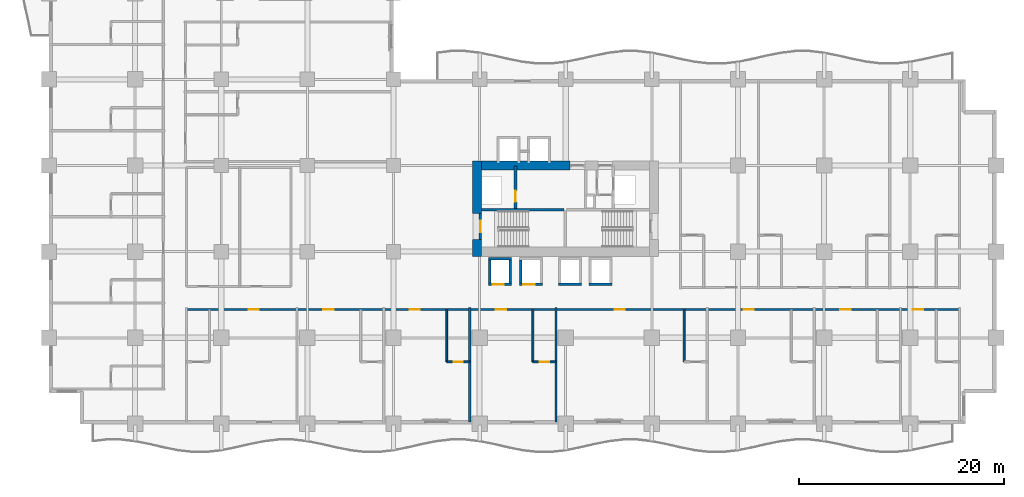
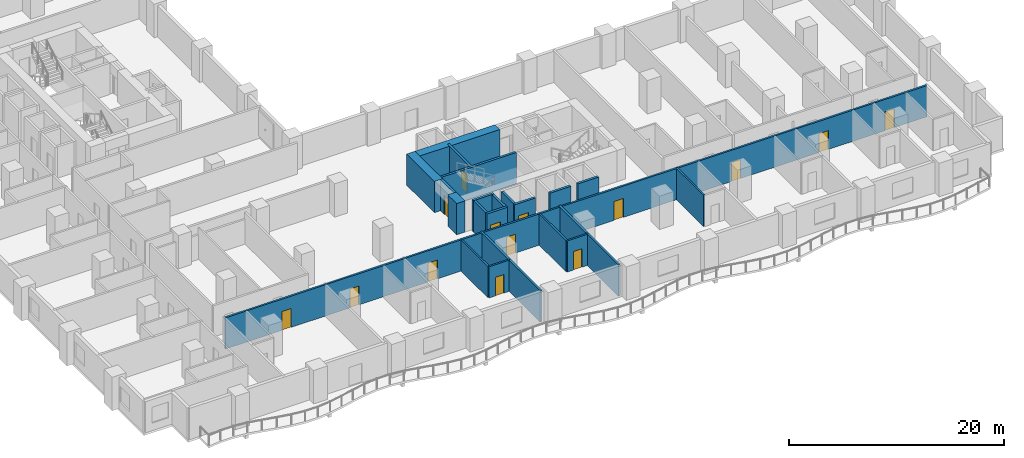
# One storey, part 6 of 20: 22 walls, 14 doors, 14 openings.
"""IFC4 building model written with IfcOpenShell, lengths in metres."""

from ifc_helpers import new_model, si_unit, direction, frame, frame_2d, origin, place, context, subcontext, project, spatial, rectangle, extrude, material, layer, layer_set, type_object, element, fill, save


model = new_model("IFC4")

# Units and contexts
model_context = context("Model", 3, precision=1e-05, world=origin(), true_north=direction((0.0, 1.0)))
body_context = subcontext(model_context, "Body", "Model", "MODEL_VIEW")
ifc_project = project(units=[si_unit("LENGTHUNIT", "METRE"), si_unit("AREAUNIT", "SQUARE_METRE"), si_unit("VOLUMEUNIT", "CUBIC_METRE"), si_unit("PLANEANGLEUNIT", "RADIAN"), si_unit("MASSUNIT", "GRAM", prefix="KILO")], contexts=[model_context])

# Site, building, storey
site_placement = place(None, origin())
site = spatial("IfcSite", under=ifc_project, at=site_placement, CompositionType="ELEMENT")
building_placement = place(site_placement, origin())
building = spatial("IfcBuilding", under=site, at=building_placement, Name="Koriwani Terraces Tower", CompositionType="ELEMENT")
storey_placement = place(building_placement, frame((0.0, 0.0, 35.800048828125)))
storey = spatial("IfcBuildingStorey", under=building, at=storey_placement, Name="L07", CompositionType="ELEMENT", Elevation=35.800048828125)

# Walls
ifc_material_1 = material(Name="Concrete C60/75", Category="concrete")
ifc_layer_1 = layer(ifc_material_1, 0.89990234375, Name="Concrete C60/75")
ifc_layer_set_1 = layer_set([ifc_layer_1], Name="Concrete C60/75")
wall_type_1 = type_object("IfcWallType", Name="WALL_CORE_RC_900", PredefinedType="SHEAR", material=ifc_layer_set_1)
wall_1_placement = place(storey_placement, frame((41.75, 16.35009765625, 0.0), z_axis=(0.0, 0.0, 1.0), x_axis=(0.0, 1.0, 0.0)))
element("IfcWall", 1, at=wall_1_placement, inside=storey, type_object=wall_type_1, Name="L07 East Split Core Shear Wall W1", PredefinedType="SHEAR", context=body_context, shape_type="SweptSolid", body=[
    extrude(rectangle(XDim=1.64990234375, YDim=0.89990234375, at=frame_2d((0.824951171875, 0.0))), origin(), (0.0, 0.0, 1.0), 3.550048828125),
])
wall_2_placement = place(storey_placement, frame((41.75, 20.5, 0.0), z_axis=(0.0, 0.0, 1.0), x_axis=(0.0, 1.0, 0.0)))
element("IfcWall", 2, at=wall_2_placement, inside=storey, type_object=wall_type_1, Name="L07 East Split Core Shear Wall W2", PredefinedType="SHEAR", context=body_context, shape_type="SweptSolid", body=[
    extrude(rectangle(XDim=5.14990234375, YDim=0.89990234375, at=frame_2d((2.574951171875, 0.0))), origin(), (0.0, 0.0, 1.0), 3.550048828125),
])
wall_3_placement = place(storey_placement, frame((42.199951171875, 25.199951171875, 0.0), z_axis=(0.0, 0.0, 1.0), x_axis=(1.0, 0.0, 0.0)))
element("IfcWall", 3, at=wall_3_placement, inside=storey, type_object=wall_type_1, Name="L07 East Split Core Shear Wall N1", PredefinedType="SHEAR", context=body_context, shape_type="SweptSolid", body=[
    extrude(rectangle(XDim=8.60009765625, YDim=0.89990234375, at=frame_2d((4.300048828125, 0.0))), origin(), (0.0, 0.0, 1.0), 3.550048828125),
])

# Wall, openings, doors
ifc_material_2 = material(Name="Autoclaved Cellular Concrete Blockwork", Category="masonry")
ifc_layer_2 = layer(ifc_material_2, 0.199951171875, Name="Autoclaved Cellular Concrete Blockwork")
ifc_layer_set_2 = layer_set([ifc_layer_2], Name="Autoclaved Cellular Concrete Blockwork")
wall_type_2 = type_object("IfcWallType", Name="WALL_CORRIDOR_200", PredefinedType="PARTITIONING", material=ifc_layer_set_2)
wall_4_placement = place(storey_placement, frame((13.39990234375, 11.14990234375, 0.0), z_axis=(0.0, 0.0, 1.0), x_axis=(1.0, 0.0, 0.0)))
wall_4 = element("IfcWall", 4, at=wall_4_placement, inside=storey, type_object=wall_type_2, Name="L07 Interior Wall WCOR-L07-SW-0", PredefinedType="PARTITIONING", context=body_context, shape_type="SweptSolid", body=[
    extrude(rectangle(XDim=75.400146484375, YDim=0.199951171875, at=frame_2d((37.7001953125, 0.0))), origin(), (0.0, 0.0, 1.0), 3.550048828125),
])
opening_1_placement = place(wall_4_placement, frame((6.06494140625, 0.0, 0.0)))
opening_1 = element("IfcOpeningElement", 5, at=opening_1_placement, cuts=wall_4, Name="Opening D-05", PredefinedType="OPENING", context=body_context, shape_type="SweptSolid", body=[
    extrude(rectangle(XDim=1.0, YDim=2.14990234375, at=frame_2d((0.5, 1.074951171875))), frame((0.0, 0.10986328125, 0.0), z_axis=(0.0, -1.0, 0.0), x_axis=(1.0, 0.0, 0.0)), (0.0, 0.0, 1.0), 0.219970703125),
])
opening_2_placement = place(wall_4_placement, frame((13.360107421875, 0.0, 0.0)))
opening_2 = element("IfcOpeningElement", 6, at=opening_2_placement, cuts=wall_4, Name="Opening D-05", PredefinedType="OPENING", context=body_context, shape_type="SweptSolid", body=[
    extrude(rectangle(XDim=1.0, YDim=2.14990234375, at=frame_2d((0.5, 1.074951171875))), frame((0.0, 0.10986328125, 0.0), z_axis=(0.0, -1.0, 0.0), x_axis=(1.0, 0.0, 0.0)), (0.0, 0.0, 1.0), 0.219970703125),
])
opening_3_placement = place(wall_4_placement, frame((21.784912109375, 0.0, 0.0)))
opening_3 = element("IfcOpeningElement", 7, at=opening_3_placement, cuts=wall_4, Name="Opening D-05", PredefinedType="OPENING", context=body_context, shape_type="SweptSolid", body=[
    extrude(rectangle(XDim=1.0, YDim=2.14990234375, at=frame_2d((0.5, 1.074951171875))), frame((0.0, 0.10986328125, 0.0), z_axis=(0.0, -1.0, 0.0), x_axis=(1.0, 0.0, 0.0)), (0.0, 0.0, 1.0), 0.219970703125),
])
opening_4_placement = place(wall_4_placement, frame((30.18505859375, 0.0, 0.0)))
opening_4 = element("IfcOpeningElement", 8, at=opening_4_placement, cuts=wall_4, Name="Opening D-05", PredefinedType="OPENING", context=body_context, shape_type="SweptSolid", body=[
    extrude(rectangle(XDim=1.0, YDim=2.14990234375, at=frame_2d((0.5, 1.074951171875))), frame((0.0, 0.10986328125, 0.0), z_axis=(0.0, -1.0, 0.0), x_axis=(1.0, 0.0, 0.0)), (0.0, 0.0, 1.0), 0.219970703125),
])
opening_5_placement = place(wall_4_placement, frame((41.760009765625, 0.0, 0.0)))
opening_5 = element("IfcOpeningElement", 9, at=opening_5_placement, cuts=wall_4, Name="Opening D-05", PredefinedType="OPENING", context=body_context, shape_type="SweptSolid", body=[
    extrude(rectangle(XDim=1.0, YDim=2.14990234375, at=frame_2d((0.5, 1.074951171875))), frame((0.0, 0.10986328125, 0.0), z_axis=(0.0, -1.0, 0.0), x_axis=(1.0, 0.0, 0.0)), (0.0, 0.0, 1.0), 0.219970703125),
])
opening_6_placement = place(wall_4_placement, frame((54.360107421875, 0.0, 0.0)))
opening_6 = element("IfcOpeningElement", 10, at=opening_6_placement, cuts=wall_4, Name="Opening D-05", PredefinedType="OPENING", context=body_context, shape_type="SweptSolid", body=[
    extrude(rectangle(XDim=1.0, YDim=2.14990234375, at=frame_2d((0.5, 1.074951171875))), frame((0.0, 0.10986328125, 0.0), z_axis=(0.0, -1.0, 0.0), x_axis=(1.0, 0.0, 0.0)), (0.0, 0.0, 1.0), 0.219970703125),
])
opening_7_placement = place(wall_4_placement, frame((63.784912109375, 0.0, 0.0)))
opening_7 = element("IfcOpeningElement", 11, at=opening_7_placement, cuts=wall_4, Name="Opening D-05", PredefinedType="OPENING", context=body_context, shape_type="SweptSolid", body=[
    extrude(rectangle(XDim=1.0, YDim=2.14990234375, at=frame_2d((0.5, 1.074951171875))), frame((0.0, 0.10986328125, 0.0), z_axis=(0.0, -1.0, 0.0), x_axis=(1.0, 0.0, 0.0)), (0.0, 0.0, 1.0), 0.219970703125),
])
opening_8_placement = place(wall_4_placement, frame((70.860107421875, 0.0, 0.0)))
opening_8 = element("IfcOpeningElement", 12, at=opening_8_placement, cuts=wall_4, Name="Opening D-05", PredefinedType="OPENING", context=body_context, shape_type="SweptSolid", body=[
    extrude(rectangle(XDim=1.0, YDim=2.14990234375, at=frame_2d((0.5, 1.074951171875))), frame((0.0, 0.10986328125, 0.0), z_axis=(0.0, -1.0, 0.0), x_axis=(1.0, 0.0, 0.0)), (0.0, 0.0, 1.0), 0.219970703125),
])
ifc_material_3 = material(Name="Architectural Oak Fire Door", Category="wood")
door_type_1 = type_object("IfcDoorType", Name="DOOR_SUITE_ENTRY_1000X2150", OperationType="NOTDEFINED", PredefinedType="DOOR", material=ifc_material_3)
door_1_placement = place(opening_1_placement, origin())
door_1 = element("IfcDoor", 13, at=door_1_placement, inside=storey, type_object=door_type_1, Name="Luxury Hotel Suite 07SW1 Entrance Door", OperationType="SINGLE_SWING_LEFT", OverallHeight=2.14990234375, OverallWidth=1.0, PredefinedType="DOOR", context=body_context, shape_type="SweptSolid", body=[
    extrude(rectangle(XDim=1.0, YDim=2.14990234375, at=frame_2d((0.5, 1.074951171875))), frame((0.0, 0.02490234375, 0.0), z_axis=(0.0, -1.0, 0.0), x_axis=(1.0, 0.0, 0.0)), (0.0, 0.0, 1.0), 0.050048828125),
])
fill(opening_1, door_1)
door_2_placement = place(opening_2_placement, origin())
door_2 = element("IfcDoor", 14, at=door_2_placement, inside=storey, type_object=door_type_1, Name="Luxury Hotel Suite 07SW2 Entrance Door", OperationType="SINGLE_SWING_LEFT", OverallHeight=2.14990234375, OverallWidth=1.0, PredefinedType="DOOR", context=body_context, shape_type="SweptSolid", body=[
    extrude(rectangle(XDim=1.0, YDim=2.14990234375, at=frame_2d((0.5, 1.074951171875))), frame((0.0, 0.02490234375, 0.0), z_axis=(0.0, -1.0, 0.0), x_axis=(1.0, 0.0, 0.0)), (0.0, 0.0, 1.0), 0.050048828125),
])
fill(opening_2, door_2)
door_3_placement = place(opening_3_placement, origin())
door_3 = element("IfcDoor", 15, at=door_3_placement, inside=storey, type_object=door_type_1, Name="Luxury Hotel Suite 07SW3 Entrance Door", OperationType="SINGLE_SWING_LEFT", OverallHeight=2.14990234375, OverallWidth=1.0, PredefinedType="DOOR", context=body_context, shape_type="SweptSolid", body=[
    extrude(rectangle(XDim=1.0, YDim=2.14990234375, at=frame_2d((0.5, 1.074951171875))), frame((0.0, 0.02490234375, 0.0), z_axis=(0.0, -1.0, 0.0), x_axis=(1.0, 0.0, 0.0)), (0.0, 0.0, 1.0), 0.050048828125),
])
fill(opening_3, door_3)
door_4_placement = place(opening_4_placement, origin())
door_4 = element("IfcDoor", 16, at=door_4_placement, inside=storey, type_object=door_type_1, Name="Luxury Hotel Suite 07SW4 Entrance Door", OperationType="SINGLE_SWING_LEFT", OverallHeight=2.14990234375, OverallWidth=1.0, PredefinedType="DOOR", context=body_context, shape_type="SweptSolid", body=[
    extrude(rectangle(XDim=1.0, YDim=2.14990234375, at=frame_2d((0.5, 1.074951171875))), frame((0.0, 0.02490234375, 0.0), z_axis=(0.0, -1.0, 0.0), x_axis=(1.0, 0.0, 0.0)), (0.0, 0.0, 1.0), 0.050048828125),
])
fill(opening_4, door_4)
door_5_placement = place(opening_5_placement, origin())
door_5 = element("IfcDoor", 17, at=door_5_placement, inside=storey, type_object=door_type_1, Name="Luxury Hotel Suite 07SW5 Entrance Door", OperationType="SINGLE_SWING_LEFT", OverallHeight=2.14990234375, OverallWidth=1.0, PredefinedType="DOOR", context=body_context, shape_type="SweptSolid", body=[
    extrude(rectangle(XDim=1.0, YDim=2.14990234375, at=frame_2d((0.5, 1.074951171875))), frame((0.0, 0.02490234375, 0.0), z_axis=(0.0, -1.0, 0.0), x_axis=(1.0, 0.0, 0.0)), (0.0, 0.0, 1.0), 0.050048828125),
])
fill(opening_5, door_5)
door_6_placement = place(opening_6_placement, origin())
door_6 = element("IfcDoor", 18, at=door_6_placement, inside=storey, type_object=door_type_1, Name="Luxury Hotel Suite 07SW6 Entrance Door", OperationType="SINGLE_SWING_LEFT", OverallHeight=2.14990234375, OverallWidth=1.0, PredefinedType="DOOR", context=body_context, shape_type="SweptSolid", body=[
    extrude(rectangle(XDim=1.0, YDim=2.14990234375, at=frame_2d((0.5, 1.074951171875))), frame((0.0, 0.02490234375, 0.0), z_axis=(0.0, -1.0, 0.0), x_axis=(1.0, 0.0, 0.0)), (0.0, 0.0, 1.0), 0.050048828125),
])
fill(opening_6, door_6)
door_7_placement = place(opening_7_placement, origin())
door_7 = element("IfcDoor", 19, at=door_7_placement, inside=storey, type_object=door_type_1, Name="Luxury Hotel Suite 07SW7 Entrance Door", OperationType="SINGLE_SWING_LEFT", OverallHeight=2.14990234375, OverallWidth=1.0, PredefinedType="DOOR", context=body_context, shape_type="SweptSolid", body=[
    extrude(rectangle(XDim=1.0, YDim=2.14990234375, at=frame_2d((0.5, 1.074951171875))), frame((0.0, 0.02490234375, 0.0), z_axis=(0.0, -1.0, 0.0), x_axis=(1.0, 0.0, 0.0)), (0.0, 0.0, 1.0), 0.050048828125),
])
fill(opening_7, door_7)
door_8_placement = place(opening_8_placement, origin())
door_8 = element("IfcDoor", 20, at=door_8_placement, inside=storey, type_object=door_type_1, Name="Hotel Guest Room 07SW8 Entrance Door", OperationType="SINGLE_SWING_LEFT", OverallHeight=2.14990234375, OverallWidth=1.0, PredefinedType="DOOR", context=body_context, shape_type="SweptSolid", body=[
    extrude(rectangle(XDim=1.0, YDim=2.14990234375, at=frame_2d((0.5, 1.074951171875))), frame((0.0, 0.02490234375, 0.0), z_axis=(0.0, -1.0, 0.0), x_axis=(1.0, 0.0, 0.0)), (0.0, 0.0, 1.0), 0.050048828125),
])
fill(opening_8, door_8)

# Walls
ifc_layer_3 = layer(ifc_material_2, 0.219970703125, Name="Autoclaved Cellular Concrete Blockwork")
ifc_layer_set_3 = layer_set([ifc_layer_3], Name="Autoclaved Cellular Concrete Blockwork")
wall_type_3 = type_object("IfcWallType", Name="WALL_DEMISING_220", PredefinedType="PARTITIONING", material=ifc_layer_set_3)
for number, where, z_axis, x_axis, name in (
    (21, (41.050048828125, 0.199951171875, 0.0), (0.0, 0.0, 1.0), (0.0, 1.0, 0.0), "L07 Interior Wall WDEM-L07-SW-3"),
    (22, (49.449951171875, 0.199951171875, 0.0), (0.0, 0.0, 1.0), (0.0, 1.0, 0.0), "L07 Interior Wall WDEM-L07-SW-4"),
):
    element("IfcWall", number, at=place(storey_placement, frame(where, z_axis=z_axis, x_axis=x_axis)), inside=storey, type_object=wall_type_3, Name=name, PredefinedType="PARTITIONING", context=body_context, shape_type="SweptSolid", body=[
        extrude(rectangle(XDim=11.130126953125, YDim=0.219970703125, at=frame_2d((5.56494140625, 0.0))), origin(), (0.0, 0.0, 1.0), 3.550048828125),
    ])

# Wall, opening, door
ifc_material_4 = material(Name="Fire-Rated Acoustic Gypsum Partition", Category="masonry")
ifc_layer_4 = layer(ifc_material_4, 0.179931640625, Name="Fire-Rated Acoustic Gypsum Partition")
ifc_layer_set_4 = layer_set([ifc_layer_4], Name="Fire-Rated Acoustic Gypsum Partition")
wall_type_4 = type_object("IfcWallType", Name="WALL_PLUMBING_180", PredefinedType="PLUMBINGWALL", material=ifc_layer_set_4)
wall_5_placement = place(storey_placement, frame((38.800048828125, 6.050048828125, 0.0), z_axis=(0.0, 0.0, 1.0), x_axis=(1.0, 0.0, 0.0)))
wall_5 = element("IfcWall", 23, at=wall_5_placement, inside=storey, type_object=wall_type_4, Name="L07 Interior Wall WBTH1-L07-SW-2", PredefinedType="PLUMBINGWALL", context=body_context, shape_type="SweptSolid", body=[
    extrude(rectangle(XDim=2.25, YDim=0.179931640625, at=frame_2d((1.125, 0.0))), origin(), (0.0, 0.0, 1.0), 3.550048828125),
])
opening_9_placement = place(wall_5_placement, frame((0.675048828125, 0.0, 0.0)))
opening_9 = element("IfcOpeningElement", 24, at=opening_9_placement, cuts=wall_5, Name="Opening D-07", PredefinedType="OPENING", context=body_context, shape_type="SweptSolid", body=[
    extrude(rectangle(XDim=0.89990234375, YDim=2.10009765625, at=frame_2d((0.449951171875, 1.050048828125))), frame((0.0, 0.10009765625, 0.0), z_axis=(0.0, -1.0, 0.0), x_axis=(1.0, 0.0, 0.0)), (0.0, 0.0, 1.0), 0.199951171875),
])
door_type_2 = type_object("IfcDoorType", Name="DOOR_BATH_INT_900X2100", OperationType="NOTDEFINED", PredefinedType="DOOR", material=ifc_material_3)
door_9_placement = place(opening_9_placement, origin())
door_9 = element("IfcDoor", 25, at=door_9_placement, inside=storey, type_object=door_type_2, Name="En-Suite Bathroom 07SW3 Door", OperationType="SINGLE_SWING_RIGHT", OverallHeight=2.10009765625, OverallWidth=0.89990234375, PredefinedType="DOOR", context=body_context, shape_type="SweptSolid", body=[
    extrude(rectangle(XDim=0.89990234375, YDim=2.10009765625, at=frame_2d((0.449951171875, 1.050048828125))), frame((0.0, 0.02490234375, 0.0), z_axis=(0.0, -1.0, 0.0), x_axis=(1.0, 0.0, 0.0)), (0.0, 0.0, 1.0), 0.050048828125),
])
fill(opening_9, door_9)

# Wall
wall_6_placement = place(storey_placement, frame((38.800048828125, 6.050048828125, 0.0), z_axis=(0.0, 0.0, 1.0), x_axis=(0.0, 1.0, 0.0)))
element("IfcWall", 26, at=wall_6_placement, inside=storey, type_object=wall_type_4, Name="L07 Interior Wall WBTH2-L07-SW-2", PredefinedType="PLUMBINGWALL", context=body_context, shape_type="SweptSolid", body=[
    extrude(rectangle(XDim=5.099853515625, YDim=0.179931640625, at=frame_2d((2.5498046875, 0.0))), origin(), (0.0, 0.0, 1.0), 3.550048828125),
])

# Wall, opening, door
wall_7_placement = place(storey_placement, frame((47.199951171875, 6.050048828125, 0.0), z_axis=(0.0, 0.0, 1.0), x_axis=(1.0, 0.0, 0.0)))
wall_7 = element("IfcWall", 27, at=wall_7_placement, inside=storey, type_object=wall_type_4, Name="L07 Interior Wall WBTH1-L07-SW-3", PredefinedType="PLUMBINGWALL", context=body_context, shape_type="SweptSolid", body=[
    extrude(rectangle(XDim=2.25, YDim=0.179931640625, at=frame_2d((1.125, 0.0))), origin(), (0.0, 0.0, 1.0), 3.550048828125),
])
opening_10_placement = place(wall_7_placement, frame((0.675048828125, 0.0, 0.0)))
opening_10 = element("IfcOpeningElement", 28, at=opening_10_placement, cuts=wall_7, Name="Opening D-07", PredefinedType="OPENING", context=body_context, shape_type="SweptSolid", body=[
    extrude(rectangle(XDim=0.89990234375, YDim=2.10009765625, at=frame_2d((0.449951171875, 1.050048828125))), frame((0.0, 0.10009765625, 0.0), z_axis=(0.0, -1.0, 0.0), x_axis=(1.0, 0.0, 0.0)), (0.0, 0.0, 1.0), 0.199951171875),
])
door_10_placement = place(opening_10_placement, origin())
door_10 = element("IfcDoor", 29, at=door_10_placement, inside=storey, type_object=door_type_2, Name="En-Suite Bathroom 07SW4 Door", OperationType="SINGLE_SWING_RIGHT", OverallHeight=2.10009765625, OverallWidth=0.89990234375, PredefinedType="DOOR", context=body_context, shape_type="SweptSolid", body=[
    extrude(rectangle(XDim=0.89990234375, YDim=2.10009765625, at=frame_2d((0.449951171875, 1.050048828125))), frame((0.0, 0.02490234375, 0.0), z_axis=(0.0, -1.0, 0.0), x_axis=(1.0, 0.0, 0.0)), (0.0, 0.0, 1.0), 0.050048828125),
])
fill(opening_10, door_10)

# Walls
for number, where, z_axis, x_axis, name in (
    (30, (47.199951171875, 6.050048828125, 0.0), (0.0, 0.0, 1.0), (0.0, 1.0, 0.0), "L07 Interior Wall WBTH2-L07-SW-3"),
    (31, (61.949951171875, 6.050048828125, 0.0), (0.0, 0.0, 1.0), (0.0, 1.0, 0.0), "L07 Interior Wall WBTH2-L07-SW-4"),
):
    element("IfcWall", number, at=place(storey_placement, frame(where, z_axis=z_axis, x_axis=x_axis)), inside=storey, type_object=wall_type_4, Name=name, PredefinedType="PLUMBINGWALL", context=body_context, shape_type="SweptSolid", body=[
        extrude(rectangle(XDim=5.099853515625, YDim=0.179931640625, at=frame_2d((2.5498046875, 0.0))), origin(), (0.0, 0.0, 1.0), 3.550048828125),
    ])
ifc_material_5 = material(Name="Concrete C40/50", Category="concrete")
ifc_layer_5 = layer(ifc_material_5, 0.25, Name="Concrete C40/50")
ifc_layer_set_5 = layer_set([ifc_layer_5], Name="Concrete C40/50")
wall_type_5 = type_object("IfcWallType", Name="WALL_SHAFT_RATED_250", PredefinedType="SOLIDWALL", material=ifc_layer_set_5)
wall_8_placement = place(storey_placement, frame((42.199951171875, 20.875, 0.0), z_axis=(0.0, 0.0, 1.0), x_axis=(1.0, 0.0, 0.0)))
element("IfcWall", 32, at=wall_8_placement, inside=storey, type_object=wall_type_5, Name="L07 East Split Core Web Wall MID1", PredefinedType="SOLIDWALL", context=body_context, shape_type="SweptSolid", body=[
    extrude(rectangle(XDim=8.050048828125, YDim=0.25, at=frame_2d((4.02490234375, 0.0))), origin(), (0.0, 0.0, 1.0), 3.550048828125),
])

# Wall, opening, door
wall_9_placement = place(storey_placement, frame((42.074951171875, 18.0, 0.0), z_axis=(0.0, 0.0, 1.0), x_axis=(0.0, 1.0, 0.0)))
wall_9 = element("IfcWall", 33, at=wall_9_placement, inside=storey, type_object=wall_type_5, Name="L07 Interior Wall WIN-CE-L07-STW", PredefinedType="SOLIDWALL", context=body_context, shape_type="SweptSolid", body=[
    extrude(rectangle(XDim=2.5, YDim=0.25, at=frame_2d((1.25, 0.0))), origin(), (0.0, 0.0, 1.0), 3.550048828125),
])
opening_11_placement = place(wall_9_placement, frame((0.699951171875, 0.0, 0.0)))
opening_11 = element("IfcOpeningElement", 34, at=opening_11_placement, cuts=wall_9, Name="Opening D-03", PredefinedType="OPENING", context=body_context, shape_type="SweptSolid", body=[
    extrude(rectangle(XDim=1.10009765625, YDim=2.14990234375, at=frame_2d((0.550048828125, 1.074951171875))), frame((0.0, 0.135009765625, 0.0), z_axis=(0.0, -1.0, 0.0), x_axis=(1.0, 0.0, 0.0)), (0.0, 0.0, 1.0), 0.27001953125),
])
ifc_material_6 = material(Name="Steel ASTM A572 Grade 50", Category="steel")
door_type_3 = type_object("IfcDoorType", Name="DOOR_STAIR_FIRE_1100X2150", OperationType="NOTDEFINED", PredefinedType="DOOR", material=ifc_material_6)
door_11_placement = place(opening_11_placement, origin())
door_11 = element("IfcDoor", 35, at=door_11_placement, inside=storey, type_object=door_type_3, Name="L07 Exit Stair ST-E1 Door", OperationType="SINGLE_SWING_LEFT", OverallHeight=2.14990234375, OverallWidth=1.10009765625, PredefinedType="DOOR", context=body_context, shape_type="SweptSolid", body=[
    extrude(rectangle(XDim=1.10009765625, YDim=2.14990234375, at=frame_2d((0.550048828125, 1.074951171875))), frame((0.0, 0.02490234375, 0.0), z_axis=(0.0, -1.0, 0.0), x_axis=(1.0, 0.0, 0.0)), (0.0, 0.0, 1.0), 0.050048828125),
])
fill(opening_11, door_11)

wall_10_placement = place(storey_placement, frame((45.5, 21.0, 0.0), z_axis=(0.0, 0.0, 1.0), x_axis=(0.0, 1.0, 0.0)))
wall_10 = element("IfcWall", 36, at=wall_10_placement, inside=storey, type_object=wall_type_5, Name="L07 Interior Wall WIN-CE-L07-FE", PredefinedType="SOLIDWALL", context=body_context, shape_type="SweptSolid", body=[
    extrude(rectangle(XDim=4.14990234375, YDim=0.25, at=frame_2d((2.074951171875, 0.0))), origin(), (0.0, 0.0, 1.0), 3.550048828125),
])
opening_12_placement = place(wall_10_placement, frame((0.64990234375, 0.0, 0.0)))
opening_12 = element("IfcOpeningElement", 37, at=opening_12_placement, cuts=wall_10, Name="Opening LD-01", PredefinedType="OPENING", context=body_context, shape_type="SweptSolid", body=[
    extrude(rectangle(XDim=1.10009765625, YDim=2.14990234375, at=frame_2d((0.550048828125, 1.074951171875))), frame((0.0, 0.135009765625, 0.0), z_axis=(0.0, -1.0, 0.0), x_axis=(1.0, 0.0, 0.0)), (0.0, 0.0, 1.0), 0.27001953125),
])
door_type_4 = type_object("IfcDoorType", Name="DOOR_LIFT_LANDING_1100X2200", OperationType="NOTDEFINED", PredefinedType="DOOR", material=ifc_material_6)
door_12_placement = place(opening_12_placement, origin())
door_12 = element("IfcDoor", 38, at=door_12_placement, inside=storey, type_object=door_type_4, Name="L07 Firefighting Lift FE-02 Landing Door", OperationType="SLIDING_TO_LEFT", OverallHeight=2.14990234375, OverallWidth=1.10009765625, PredefinedType="DOOR", context=body_context, shape_type="SweptSolid", body=[
    extrude(rectangle(XDim=1.10009765625, YDim=2.14990234375, at=frame_2d((0.550048828125, 1.074951171875))), frame((0.0, 0.02490234375, 0.0), z_axis=(0.0, -1.0, 0.0), x_axis=(1.0, 0.0, 0.0)), (0.0, 0.0, 1.0), 0.050048828125),
])
fill(opening_12, door_12)

wall_11_placement = place(storey_placement, frame((42.875, 13.60009765625, 0.0), z_axis=(0.0, 0.0, 1.0), x_axis=(1.0, 0.0, 0.0)))
wall_11 = element("IfcWall", 39, at=wall_11_placement, inside=storey, type_object=wall_type_5, Name="L07 Interior Wall WIN-LF-PE-L3-L07-F", PredefinedType="SOLIDWALL", context=body_context, shape_type="SweptSolid", body=[
    extrude(rectangle(XDim=2.25, YDim=0.25, at=frame_2d((1.125, 0.0))), origin(), (0.0, 0.0, 1.0), 3.550048828125),
])
opening_13_placement = place(wall_11_placement, frame((0.39990234375, 0.0, 0.0)))
opening_13 = element("IfcOpeningElement", 40, at=opening_13_placement, cuts=wall_11, Name="Opening LD-01", PredefinedType="OPENING", context=body_context, shape_type="SweptSolid", body=[
    extrude(rectangle(XDim=1.10009765625, YDim=2.14990234375, at=frame_2d((0.550048828125, 1.074951171875))), frame((0.0, 0.135009765625, 0.0), z_axis=(0.0, -1.0, 0.0), x_axis=(1.0, 0.0, 0.0)), (0.0, 0.0, 1.0), 0.27001953125),
])
door_13_placement = place(opening_13_placement, origin())
door_13 = element("IfcDoor", 41, at=door_13_placement, inside=storey, type_object=door_type_4, Name="L07 Passenger Lift PE-L3 Landing Door", OperationType="SLIDING_TO_LEFT", OverallHeight=2.14990234375, OverallWidth=1.10009765625, PredefinedType="DOOR", context=body_context, shape_type="SweptSolid", body=[
    extrude(rectangle(XDim=1.10009765625, YDim=2.14990234375, at=frame_2d((0.550048828125, 1.074951171875))), frame((0.0, 0.02490234375, 0.0), z_axis=(0.0, -1.0, 0.0), x_axis=(1.0, 0.0, 0.0)), (0.0, 0.0, 1.0), 0.050048828125),
])
fill(opening_13, door_13)

# Walls
for number, where, z_axis, x_axis, name in (
    (42, (42.875, 16.10009765625, 0.0), (0.0, 0.0, 1.0), (1.0, 0.0, 0.0), "L07 Interior Wall WIN-LF-PE-L3-L07-B"),
    (43, (43.0, 13.72509765625, 0.0), (0.0, 0.0, 1.0), (0.0, 1.0, 0.0), "L07 Interior Wall WIN-LF-PE-L3-L07-W"),
    (44, (45.0, 13.72509765625, 0.0), (0.0, 0.0, 1.0), (0.0, 1.0, 0.0), "L07 Interior Wall WIN-LF-PE-L3-L07-E"),
):
    element("IfcWall", number, at=place(storey_placement, frame(where, z_axis=z_axis, x_axis=x_axis)), inside=storey, type_object=wall_type_5, Name=name, PredefinedType="SOLIDWALL", context=body_context, shape_type="SweptSolid", body=[
        extrude(rectangle(XDim=2.25, YDim=0.25, at=frame_2d((1.125, 0.0))), origin(), (0.0, 0.0, 1.0), 3.550048828125),
    ])

# Wall, opening, door
wall_12_placement = place(storey_placement, frame((45.875, 13.60009765625, 0.0), z_axis=(0.0, 0.0, 1.0), x_axis=(1.0, 0.0, 0.0)))
wall_12 = element("IfcWall", 45, at=wall_12_placement, inside=storey, type_object=wall_type_5, Name="L07 Interior Wall WIN-LF-PE-L4-L07-F", PredefinedType="SOLIDWALL", context=body_context, shape_type="SweptSolid", body=[
    extrude(rectangle(XDim=2.25, YDim=0.25, at=frame_2d((1.125, 0.0))), origin(), (0.0, 0.0, 1.0), 3.550048828125),
])
opening_14_placement = place(wall_12_placement, frame((0.39990234375, 0.0, 0.0)))
opening_14 = element("IfcOpeningElement", 46, at=opening_14_placement, cuts=wall_12, Name="Opening LD-01", PredefinedType="OPENING", context=body_context, shape_type="SweptSolid", body=[
    extrude(rectangle(XDim=1.10009765625, YDim=2.14990234375, at=frame_2d((0.550048828125, 1.074951171875))), frame((0.0, 0.135009765625, 0.0), z_axis=(0.0, -1.0, 0.0), x_axis=(1.0, 0.0, 0.0)), (0.0, 0.0, 1.0), 0.27001953125),
])
door_14_placement = place(opening_14_placement, origin())
door_14 = element("IfcDoor", 47, at=door_14_placement, inside=storey, type_object=door_type_4, Name="L07 Passenger Lift PE-L4 Landing Door", OperationType="SLIDING_TO_LEFT", OverallHeight=2.14990234375, OverallWidth=1.10009765625, PredefinedType="DOOR", context=body_context, shape_type="SweptSolid", body=[
    extrude(rectangle(XDim=1.10009765625, YDim=2.14990234375, at=frame_2d((0.550048828125, 1.074951171875))), frame((0.0, 0.02490234375, 0.0), z_axis=(0.0, -1.0, 0.0), x_axis=(1.0, 0.0, 0.0)), (0.0, 0.0, 1.0), 0.050048828125),
])
fill(opening_14, door_14)

# Walls
for number, where, z_axis, x_axis, name in (
    (48, (46.0, 13.72509765625, 0.0), (0.0, 0.0, 1.0), (0.0, 1.0, 0.0), "L07 Interior Wall WIN-LF-PE-L4-L07-W"),
    (49, (49.675048828125, 13.60009765625, 0.0), (0.0, 0.0, 1.0), (1.0, 0.0, 0.0), "L07 Interior Wall WIN-LF-PE-M3-L07-F"),
    (50, (52.675048828125, 13.60009765625, 0.0), (0.0, 0.0, 1.0), (1.0, 0.0, 0.0), "L07 Interior Wall WIN-LF-PE-M4-L07-F"),
):
    element("IfcWall", number, at=place(storey_placement, frame(where, z_axis=z_axis, x_axis=x_axis)), inside=storey, type_object=wall_type_5, Name=name, PredefinedType="SOLIDWALL", context=body_context, shape_type="SweptSolid", body=[
        extrude(rectangle(XDim=2.25, YDim=0.25, at=frame_2d((1.125, 0.0))), origin(), (0.0, 0.0, 1.0), 3.550048828125),
    ])

save(model, "model.ifc")
